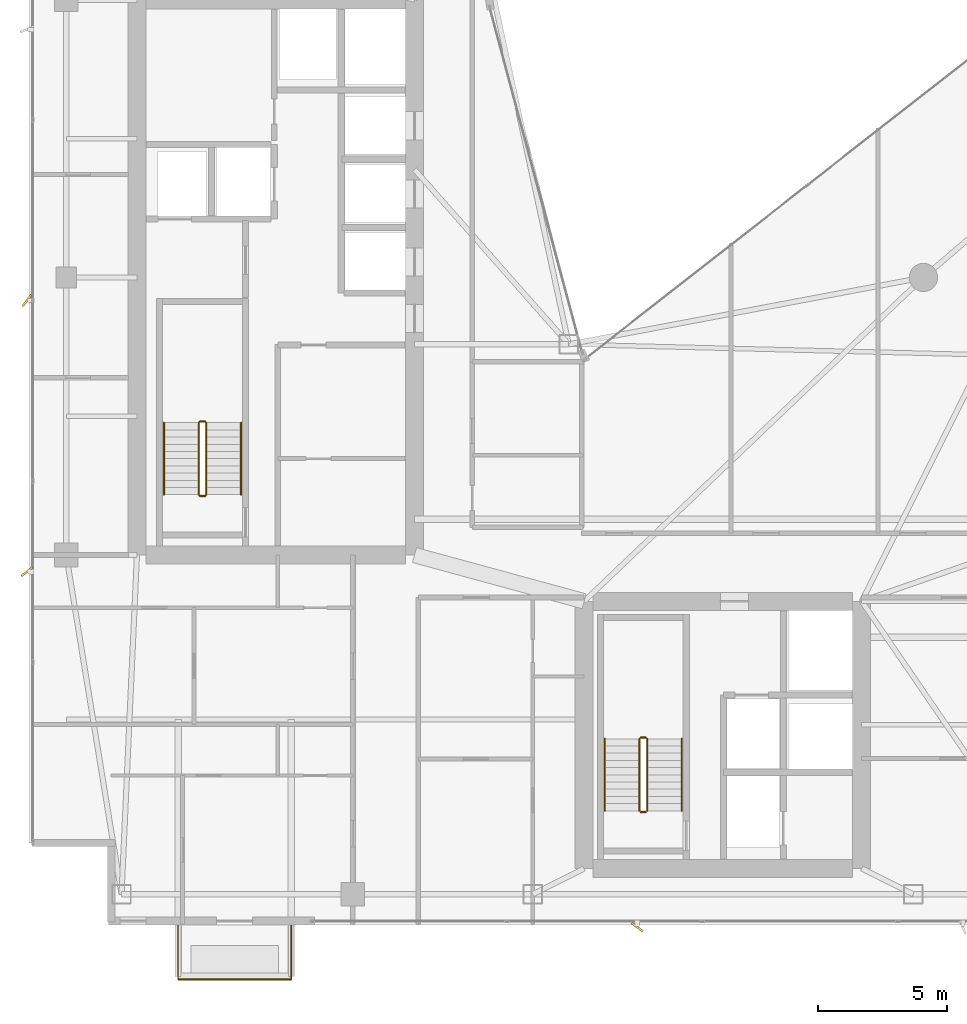
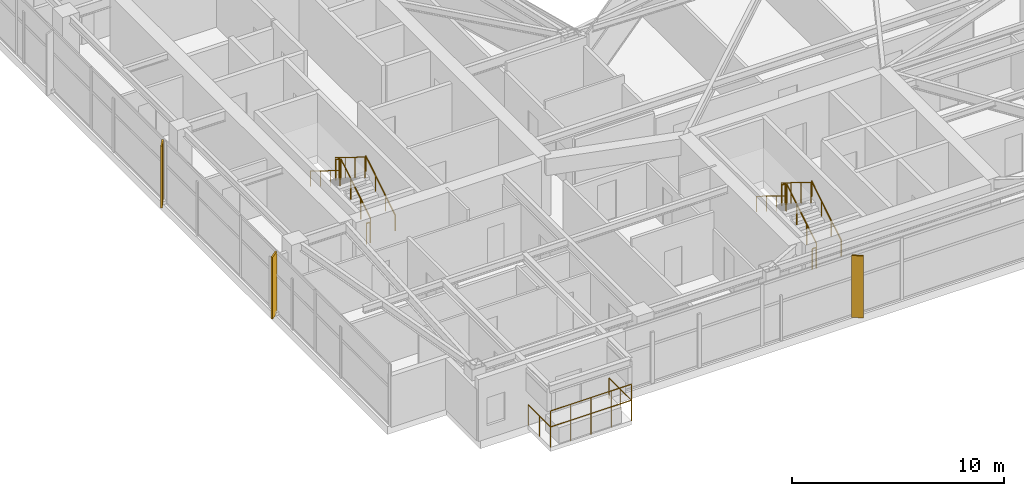
# One storey, part 28 of 29: 14 railings, 3 shading devices.
"""IFC4 building model written with IfcOpenShell, lengths in metres."""

from ifc_helpers import new_model, si_unit, direction, frame, origin, origin_2d, place, context, subcontext, project, spatial, rectangle, circle, extrude, material, type_object, element, save


model = new_model("IFC4")

# Units and contexts
model_context = context("Model", 3, precision=1e-05, world=origin(), true_north=direction((0.0, 1.0)))
body_context = subcontext(model_context, "Body", "Model", "MODEL_VIEW")
ifc_project = project(units=[si_unit("LENGTHUNIT", "METRE"), si_unit("AREAUNIT", "SQUARE_METRE"), si_unit("VOLUMEUNIT", "CUBIC_METRE"), si_unit("PLANEANGLEUNIT", "RADIAN"), si_unit("MASSUNIT", "GRAM", prefix="KILO")], contexts=[model_context])

# Site, building, storey
site_placement = place(None, origin())
site = spatial("IfcSite", under=ifc_project, at=site_placement, CompositionType="ELEMENT")
building_placement = place(site_placement, origin())
building = spatial("IfcBuilding", under=site, at=building_placement, Name="Calvorn Quay Hotel", CompositionType="ELEMENT")
storey_placement = place(building_placement, frame((0.0, 0.0, 199.60009765625)))
storey = spatial("IfcBuildingStorey", under=building, at=storey_placement, Name="L49", CompositionType="ELEMENT", Elevation=199.60009765625)

# Railings
ifc_material_1 = material(Name="Pale Anodised Aluminium and Laminated Glass", Category="aluminium")
railing_type_1 = type_object("IfcRailingType", Name="RLG-BALUSTRADE-1200", PredefinedType="BALUSTRADE", material=ifc_material_1)
railing_1_placement = place(storey_placement, frame((5.800048828125, 2.389892578125, 0.0)))
element("IfcRailing", 1, at=railing_1_placement, inside=storey, type_object=railing_type_1, Name="Tree Balcony Perimeter Balustrade L49-BALC-S", PredefinedType="BALUSTRADE", context=body_context, shape_type="SweptSolid", body=[
    extrude(circle(Radius=0.02392578125, at=origin_2d()), frame((0.0, 0.0, 1.17578125), z_axis=(0.0, -1.0, 0.0), x_axis=(1.0, 0.0, 0.0)), (0.0, 0.0, 1.0), 2.099853515625),
    extrude(circle(Radius=0.02392578125, at=origin_2d()), frame((0.0, -2.099853515625, 1.17578125), z_axis=(1.0, 0.0, 0.0), x_axis=(0.0, 1.0, 0.0)), (0.0, 0.0, 1.0), 4.39990234375),
    extrude(circle(Radius=0.02392578125, at=origin_2d()), frame((4.39990234375, -2.099853515625, 1.17578125), z_axis=(0.0, 1.0, 0.0), x_axis=(-1.0, 0.0, 0.0)), (0.0, 0.0, 1.0), 2.099853515625),
    extrude(circle(Radius=0.02099609375, at=origin_2d()), origin(), (0.0, 0.0, 1.0), 1.15185546875),
    extrude(circle(Radius=0.02099609375, at=origin_2d()), frame((0.0, -1.0498046875, 0.0)), (0.0, 0.0, 1.0), 1.15185546875),
    extrude(circle(Radius=0.02099609375, at=origin_2d()), frame((0.0, -2.099853515625, 0.0)), (0.0, 0.0, 1.0), 1.15185546875),
    extrude(circle(Radius=0.02099609375, at=origin_2d()), frame((1.10009765625, -2.099853515625, 0.0)), (0.0, 0.0, 1.0), 1.15185546875),
    extrude(circle(Radius=0.02099609375, at=origin_2d()), frame((2.199951171875, -2.099853515625, 0.0)), (0.0, 0.0, 1.0), 1.15185546875),
    extrude(circle(Radius=0.02099609375, at=origin_2d()), frame((3.2998046875, -2.099853515625, 0.0)), (0.0, 0.0, 1.0), 1.15185546875),
    extrude(circle(Radius=0.02099609375, at=origin_2d()), frame((4.39990234375, -2.099853515625, 0.0)), (0.0, 0.0, 1.0), 1.15185546875),
    extrude(circle(Radius=0.02099609375, at=origin_2d()), frame((4.39990234375, -1.0498046875, 0.0)), (0.0, 0.0, 1.0), 1.15185546875),
    extrude(circle(Radius=0.02099609375, at=origin_2d()), frame((4.39990234375, 0.0, 0.0)), (0.0, 0.0, 1.0), 1.15185546875),
])
railing_2_placement = place(storey_placement, frame((5.800048828125, 0.2900390625, 0.89990234375)))
element("IfcRailing", 2, at=railing_2_placement, inside=storey, type_object=railing_type_1, Name="Planter Kerb High Safety Screen L49-BALC-S", PredefinedType="BALUSTRADE", context=body_context, shape_type="SweptSolid", body=[
    extrude(circle(Radius=0.02392578125, at=origin_2d()), frame((0.0, 0.0, 1.19580078125), z_axis=(1.0, 0.0, 0.0), x_axis=(0.0, 1.0, 0.0)), (0.0, 0.0, 1.0), 4.39990234375),
    extrude(circle(Radius=0.02099609375, at=origin_2d()), origin(), (0.0, 0.0, 1.0), 1.171875),
    extrude(circle(Radius=0.02099609375, at=origin_2d()), frame((1.10009765625, 0.0, 0.0)), (0.0, 0.0, 1.0), 1.171875),
    extrude(circle(Radius=0.02099609375, at=origin_2d()), frame((2.199951171875, 0.0, 0.0)), (0.0, 0.0, 1.0), 1.171875),
    extrude(circle(Radius=0.02099609375, at=origin_2d()), frame((3.2998046875, 0.0, 0.0)), (0.0, 0.0, 1.0), 1.171875),
    extrude(circle(Radius=0.02099609375, at=origin_2d()), frame((4.39990234375, 0.0, 0.0)), (0.0, 0.0, 1.0), 1.171875),
])
ifc_material_2 = material(Name="Brushed Stainless Steel Handrail", Category="steel")
railing_type_2 = type_object("IfcRailingType", Name="RLG-HANDRAIL-900", PredefinedType="HANDRAIL", material=ifc_material_2)
railing_3_placement = place(storey_placement, frame((8.25, 19.14990234375, 0.172607421875)))
element("IfcRailing", 3, at=railing_3_placement, inside=storey, type_object=railing_type_2, Name="L49 ST-W stair handrail 1", PredefinedType="HANDRAIL", context=body_context, shape_type="SweptSolid", body=[
    extrude(circle(Radius=0.02392578125, at=origin_2d()), frame((0.0, 0.0, 0.8759765625), z_axis=(0.0, 0.851089632645, 0.525020415988), x_axis=(-1.0, 0.0, 0.0)), (0.0, 0.0, 1.0), 3.2900390625),
    extrude(circle(Radius=0.02099609375, at=origin_2d()), origin(), (0.0, 0.0, 1.0), 0.851806640625),
    extrude(circle(Radius=0.02099609375, at=origin_2d()), frame((0.0, 0.933349609375, 0.57568359375)), (0.0, 0.0, 1.0), 0.851806640625),
    extrude(circle(Radius=0.02099609375, at=origin_2d()), frame((0.0, 1.86669921875, 1.151611328125)), (0.0, 0.0, 1.0), 0.851806640625),
    extrude(circle(Radius=0.02099609375, at=origin_2d()), frame((0.0, 2.800048828125, 1.727294921875)), (0.0, 0.0, 1.0), 0.851806640625),
])
railing_4_placement = place(storey_placement, frame((5.25, 21.949951171875, 2.072509765625)))
element("IfcRailing", 4, at=railing_4_placement, inside=storey, type_object=railing_type_2, Name="L49 ST-W stair handrail 2", PredefinedType="HANDRAIL", context=body_context, shape_type="SweptSolid", body=[
    extrude(circle(Radius=0.02392578125, at=origin_2d()), frame((0.0, 0.0, 0.8759765625), z_axis=(0.0, -0.851089632645, 0.525020415988), x_axis=(1.0, 0.0, 0.0)), (0.0, 0.0, 1.0), 3.2900390625),
    extrude(circle(Radius=0.02099609375, at=origin_2d()), origin(), (0.0, 0.0, 1.0), 0.851806640625),
    extrude(circle(Radius=0.02099609375, at=origin_2d()), frame((0.0, -0.933349609375, 0.57568359375)), (0.0, 0.0, 1.0), 0.851806640625),
    extrude(circle(Radius=0.02099609375, at=origin_2d()), frame((0.0, -1.86669921875, 1.151611328125)), (0.0, 0.0, 1.0), 0.851806640625),
    extrude(circle(Radius=0.02099609375, at=origin_2d()), frame((0.0, -2.800048828125, 1.727294921875)), (0.0, 0.0, 1.0), 0.851806640625),
])
railing_5_placement = place(storey_placement, frame((25.39990234375, 6.85009765625, 0.172607421875)))
element("IfcRailing", 5, at=railing_5_placement, inside=storey, type_object=railing_type_2, Name="L49 ST-E stair handrail 1", PredefinedType="HANDRAIL", context=body_context, shape_type="SweptSolid", body=[
    extrude(circle(Radius=0.02392578125, at=origin_2d()), frame((0.0, 0.0, 0.8759765625), z_axis=(0.0, 0.851069175582, 0.525053576669), x_axis=(-1.0, 0.0, 0.0)), (0.0, 0.0, 1.0), 3.289794921875),
    extrude(circle(Radius=0.02099609375, at=origin_2d()), origin(), (0.0, 0.0, 1.0), 0.851806640625),
    extrude(circle(Radius=0.02099609375, at=origin_2d()), frame((0.0, 0.933349609375, 0.57568359375)), (0.0, 0.0, 1.0), 0.851806640625),
    extrude(circle(Radius=0.02099609375, at=origin_2d()), frame((0.0, 1.866455078125, 1.151611328125)), (0.0, 0.0, 1.0), 0.851806640625),
    extrude(circle(Radius=0.02099609375, at=origin_2d()), frame((0.0, 2.7998046875, 1.727294921875)), (0.0, 0.0, 1.0), 0.851806640625),
])
railing_6_placement = place(storey_placement, frame((22.39990234375, 9.64990234375, 2.072509765625)))
element("IfcRailing", 6, at=railing_6_placement, inside=storey, type_object=railing_type_2, Name="L49 ST-E stair handrail 2", PredefinedType="HANDRAIL", context=body_context, shape_type="SweptSolid", body=[
    extrude(circle(Radius=0.02392578125, at=origin_2d()), frame((0.0, 0.0, 0.8759765625), z_axis=(0.0, -0.851069175582, 0.525053576669), x_axis=(1.0, 0.0, 0.0)), (0.0, 0.0, 1.0), 3.289794921875),
    extrude(circle(Radius=0.02099609375, at=origin_2d()), origin(), (0.0, 0.0, 1.0), 0.851806640625),
    extrude(circle(Radius=0.02099609375, at=origin_2d()), frame((0.0, -0.933349609375, 0.57568359375)), (0.0, 0.0, 1.0), 0.851806640625),
    extrude(circle(Radius=0.02099609375, at=origin_2d()), frame((0.0, -1.866455078125, 1.151611328125)), (0.0, 0.0, 1.0), 0.851806640625),
    extrude(circle(Radius=0.02099609375, at=origin_2d()), frame((0.0, -2.7998046875, 1.727294921875)), (0.0, 0.0, 1.0), 0.851806640625),
])
ifc_material_3 = material(Name="Painted Galvanised Steel Balustrade", Category="steel")
railing_type_3 = type_object("IfcRailingType", Name="RLG-STAIR-GUARD-1120", PredefinedType="GUARDRAIL", material=ifc_material_3)
railing_7_placement = place(storey_placement, frame((6.89990234375, 19.14990234375, 0.172607421875)))
element("IfcRailing", 7, at=railing_7_placement, inside=storey, type_object=railing_type_3, Name="L49 ST-W stair guard 1", PredefinedType="GUARDRAIL", context=body_context, shape_type="SweptSolid", body=[
    extrude(circle(Radius=0.02392578125, at=origin_2d()), frame((0.0, 0.0, 1.17578125), z_axis=(0.0, 0.851089632645, 0.525020415988), x_axis=(-1.0, 0.0, 0.0)), (0.0, 0.0, 1.0), 3.2900390625),
    extrude(circle(Radius=0.02099609375, at=origin_2d()), origin(), (0.0, 0.0, 1.0), 1.15185546875),
    extrude(circle(Radius=0.02099609375, at=origin_2d()), frame((0.0, 0.933349609375, 0.57568359375)), (0.0, 0.0, 1.0), 1.15185546875),
    extrude(circle(Radius=0.02099609375, at=origin_2d()), frame((0.0, 1.86669921875, 1.151611328125)), (0.0, 0.0, 1.0), 1.15185546875),
    extrude(circle(Radius=0.02099609375, at=origin_2d()), frame((0.0, 2.800048828125, 1.727294921875)), (0.0, 0.0, 1.0), 1.15185546875),
])
railing_8_placement = place(storey_placement, frame((6.85009765625, 22.0, 1.89990234375)))
element("IfcRailing", 8, at=railing_8_placement, inside=storey, type_object=railing_type_3, Name="L49 ST-W stair guard 2", PredefinedType="GUARDRAIL", context=body_context, shape_type="SweptSolid", body=[
    extrude(circle(Radius=0.02392578125, at=origin_2d()), frame((0.0, 0.0, 1.17578125), z_axis=(-1.0, 0.0, 0.0), x_axis=(0.0, -1.0, 0.0)), (0.0, 0.0, 1.0), 0.2001953125),
    extrude(circle(Radius=0.02099609375, at=origin_2d()), origin(), (0.0, 0.0, 1.0), 1.15185546875),
    extrude(circle(Radius=0.02099609375, at=origin_2d()), frame((-0.2001953125, 0.0, 0.0)), (0.0, 0.0, 1.0), 1.15185546875),
])
railing_9_placement = place(storey_placement, frame((6.60009765625, 21.949951171875, 2.072509765625)))
element("IfcRailing", 9, at=railing_9_placement, inside=storey, type_object=railing_type_3, Name="L49 ST-W stair guard 3", PredefinedType="GUARDRAIL", context=body_context, shape_type="SweptSolid", body=[
    extrude(circle(Radius=0.02392578125, at=origin_2d()), frame((0.0, 0.0, 1.17578125), z_axis=(0.0, -0.851089632645, 0.525020415988), x_axis=(1.0, 0.0, 0.0)), (0.0, 0.0, 1.0), 3.2900390625),
    extrude(circle(Radius=0.02099609375, at=origin_2d()), origin(), (0.0, 0.0, 1.0), 1.15185546875),
    extrude(circle(Radius=0.02099609375, at=origin_2d()), frame((0.0, -0.933349609375, 0.57568359375)), (0.0, 0.0, 1.0), 1.15185546875),
    extrude(circle(Radius=0.02099609375, at=origin_2d()), frame((0.0, -1.86669921875, 1.151611328125)), (0.0, 0.0, 1.0), 1.15185546875),
    extrude(circle(Radius=0.02099609375, at=origin_2d()), frame((0.0, -2.800048828125, 1.727294921875)), (0.0, 0.0, 1.0), 1.15185546875),
])
railing_10_placement = place(storey_placement, frame((6.85009765625, 19.10009765625, 0.0)))
element("IfcRailing", 10, at=railing_10_placement, inside=storey, type_object=railing_type_3, Name="L49 ST-W stair guard 4", PredefinedType="GUARDRAIL", context=body_context, shape_type="SweptSolid", body=[
    extrude(circle(Radius=0.02392578125, at=origin_2d()), frame((0.0, 0.0, 1.17578125), z_axis=(-1.0, 0.0, 0.0), x_axis=(0.0, -1.0, 0.0)), (0.0, 0.0, 1.0), 0.2001953125),
    extrude(circle(Radius=0.02099609375, at=origin_2d()), origin(), (0.0, 0.0, 1.0), 1.15185546875),
    extrude(circle(Radius=0.02099609375, at=origin_2d()), frame((-0.2001953125, 0.0, 0.0)), (0.0, 0.0, 1.0), 1.15185546875),
])
railing_11_placement = place(storey_placement, frame((24.050048828125, 6.85009765625, 0.172607421875)))
element("IfcRailing", 11, at=railing_11_placement, inside=storey, type_object=railing_type_3, Name="L49 ST-E stair guard 1", PredefinedType="GUARDRAIL", context=body_context, shape_type="SweptSolid", body=[
    extrude(circle(Radius=0.02392578125, at=origin_2d()), frame((0.0, 0.0, 1.17578125), z_axis=(0.0, 0.851069175582, 0.525053576669), x_axis=(-1.0, 0.0, 0.0)), (0.0, 0.0, 1.0), 3.289794921875),
    extrude(circle(Radius=0.02099609375, at=origin_2d()), origin(), (0.0, 0.0, 1.0), 1.15185546875),
    extrude(circle(Radius=0.02099609375, at=origin_2d()), frame((0.0, 0.933349609375, 0.57568359375)), (0.0, 0.0, 1.0), 1.15185546875),
    extrude(circle(Radius=0.02099609375, at=origin_2d()), frame((0.0, 1.866455078125, 1.151611328125)), (0.0, 0.0, 1.0), 1.15185546875),
    extrude(circle(Radius=0.02099609375, at=origin_2d()), frame((0.0, 2.7998046875, 1.727294921875)), (0.0, 0.0, 1.0), 1.15185546875),
])
railing_12_placement = place(storey_placement, frame((24.0, 9.699951171875, 1.89990234375)))
element("IfcRailing", 12, at=railing_12_placement, inside=storey, type_object=railing_type_3, Name="L49 ST-E stair guard 2", PredefinedType="GUARDRAIL", context=body_context, shape_type="SweptSolid", body=[
    extrude(circle(Radius=0.02392578125, at=origin_2d()), frame((0.0, 0.0, 1.17578125), z_axis=(-1.0, 0.0, 0.0), x_axis=(0.0, -1.0, 0.0)), (0.0, 0.0, 1.0), 0.199951171875),
    extrude(circle(Radius=0.02099609375, at=origin_2d()), origin(), (0.0, 0.0, 1.0), 1.15185546875),
    extrude(circle(Radius=0.02099609375, at=origin_2d()), frame((-0.199951171875, 0.0, 0.0)), (0.0, 0.0, 1.0), 1.15185546875),
])
railing_13_placement = place(storey_placement, frame((23.75, 9.64990234375, 2.072509765625)))
element("IfcRailing", 13, at=railing_13_placement, inside=storey, type_object=railing_type_3, Name="L49 ST-E stair guard 3", PredefinedType="GUARDRAIL", context=body_context, shape_type="SweptSolid", body=[
    extrude(circle(Radius=0.02392578125, at=origin_2d()), frame((0.0, 0.0, 1.17578125), z_axis=(0.0, -0.851069175582, 0.525053576669), x_axis=(1.0, 0.0, 0.0)), (0.0, 0.0, 1.0), 3.289794921875),
    extrude(circle(Radius=0.02099609375, at=origin_2d()), origin(), (0.0, 0.0, 1.0), 1.15185546875),
    extrude(circle(Radius=0.02099609375, at=origin_2d()), frame((0.0, -0.933349609375, 0.57568359375)), (0.0, 0.0, 1.0), 1.15185546875),
    extrude(circle(Radius=0.02099609375, at=origin_2d()), frame((0.0, -1.866455078125, 1.151611328125)), (0.0, 0.0, 1.0), 1.15185546875),
    extrude(circle(Radius=0.02099609375, at=origin_2d()), frame((0.0, -2.7998046875, 1.727294921875)), (0.0, 0.0, 1.0), 1.15185546875),
])
railing_14_placement = place(storey_placement, frame((24.0, 6.800048828125, 0.0)))
element("IfcRailing", 14, at=railing_14_placement, inside=storey, type_object=railing_type_3, Name="L49 ST-E stair guard 4", PredefinedType="GUARDRAIL", context=body_context, shape_type="SweptSolid", body=[
    extrude(circle(Radius=0.02392578125, at=origin_2d()), frame((0.0, 0.0, 1.17578125), z_axis=(-1.0, 0.0, 0.0), x_axis=(0.0, -1.0, 0.0)), (0.0, 0.0, 1.0), 0.199951171875),
    extrude(circle(Radius=0.02099609375, at=origin_2d()), origin(), (0.0, 0.0, 1.0), 1.15185546875),
    extrude(circle(Radius=0.02099609375, at=origin_2d()), frame((-0.199951171875, 0.0, 0.0)), (0.0, 0.0, 1.0), 1.15185546875),
])

# Shading devices
ifc_material_4 = material(Name="Champagne Bronze Anodised Aluminium 6063-T6", Category="aluminium")
shading_device_type_1 = type_object("IfcShadingDeviceType", Name="SHD-FIN-A2", PredefinedType="USERDEFINED", material=ifc_material_4)
shading_device_placement = place(storey_placement, frame((-0.080078125, 16.14990234375, -0.000244140625), z_axis=(0.0, 0.0, 1.0), x_axis=(0.788010753607, 0.615661475326, 0.0)))
element("IfcShadingDevice", 15, at=shading_device_placement, inside=storey, type_object=shading_device_type_1, Name="Diagonal Sun-Shading Fin L49-W01", ObjectType="FIN", PredefinedType="USERDEFINED", context=body_context, shape_type="SweptSolid", body=[
    extrude(rectangle(XDim=0.550048828125, YDim=0.080078125, at=origin_2d()), origin(), (0.0, 0.0, 1.0), 3.56005859375),
])
ifc_material_5 = material(Name="Champagne Bronze Anodised Aluminium 6063-T6", Category="aluminium")
shading_device_type_2 = type_object("IfcShadingDeviceType", Name="SHD-FIN-A3", PredefinedType="USERDEFINED", material=ifc_material_5)
for number, where, z_axis, x_axis, name in (
    (16, (-0.080078125, 26.699951171875, -0.000244140625), (0.0, 0.0, 1.0), (0.587785252292, 0.809016994375, 0.0), "Diagonal Sun-Shading Fin L49-W02"),
    (17, (23.6669921875, 2.320068359375, -0.000244140625), (0.0, 0.0, 1.0), (-0.809016994375, 0.587785252292, 0.0), "Diagonal Sun-Shading Fin L49-S01"),
):
    element("IfcShadingDevice", number, at=place(storey_placement, frame(where, z_axis=z_axis, x_axis=x_axis)), inside=storey, type_object=shading_device_type_2, Name=name, ObjectType="FIN", PredefinedType="USERDEFINED", context=body_context, shape_type="SweptSolid", body=[
        extrude(rectangle(XDim=0.550048828125, YDim=0.080078125, at=origin_2d()), origin(), (0.0, 0.0, 1.0), 3.56005859375),
    ])

save(model, "model.ifc")
